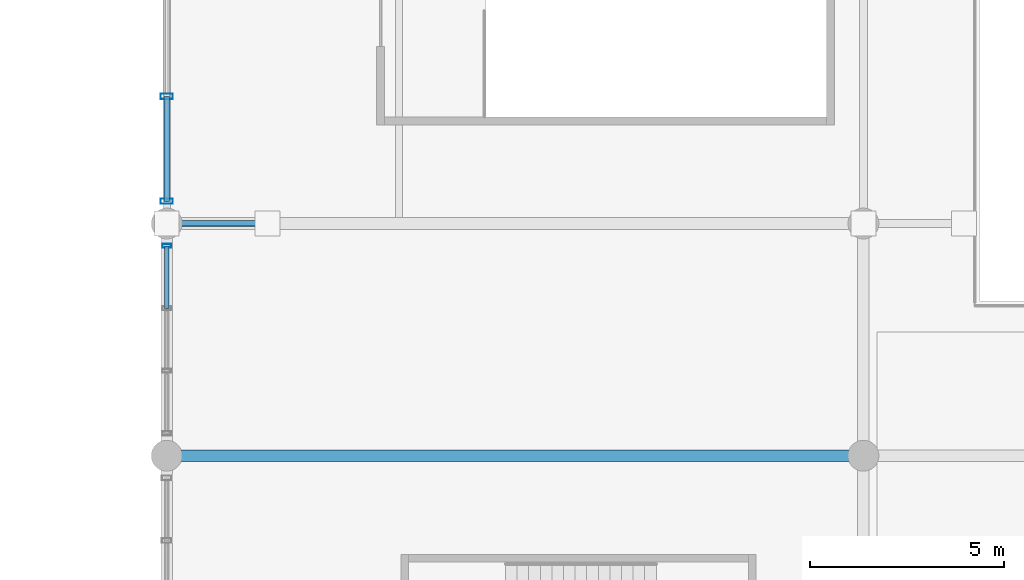
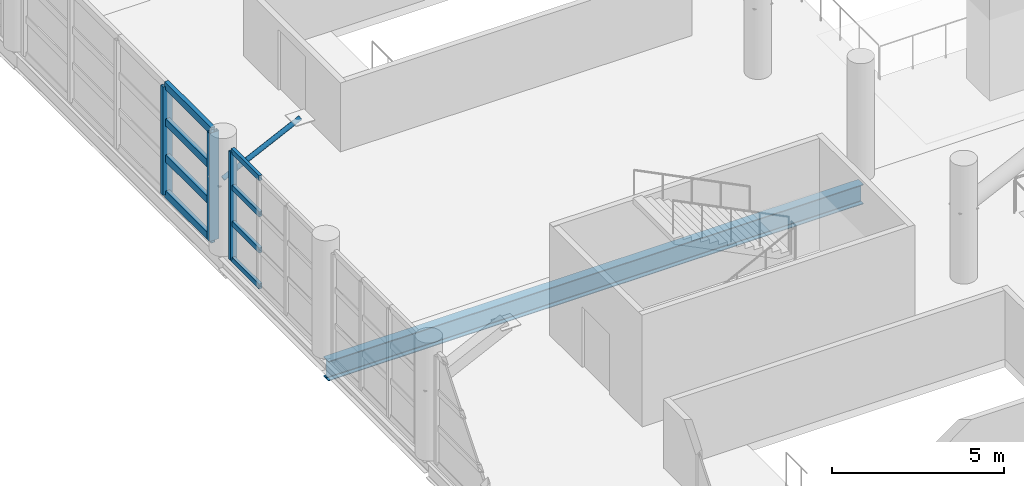
# One storey, part 13 of 136: 12 members, 1 beam, 2 elements without a shape of their own.
"""IFC4 building model written with IfcOpenShell, lengths in metres."""

from ifc_helpers import new_model, si_unit, direction, frame, origin, origin_2d, place, context, subcontext, project, spatial, hollow_rectangle, hollow_circle, i_section, extrude, material, material_profile, profile_set, type_object, element, aggregate, save


model = new_model("IFC4")

# Units and contexts
model_context = context("Model", 3, precision=1e-05, world=origin(), true_north=direction((0.0, 1.0)))
body_context = subcontext(model_context, "Body", "Model", "MODEL_VIEW")
ifc_project = project(units=[si_unit("LENGTHUNIT", "METRE"), si_unit("AREAUNIT", "SQUARE_METRE"), si_unit("VOLUMEUNIT", "CUBIC_METRE"), si_unit("PLANEANGLEUNIT", "RADIAN"), si_unit("MASSUNIT", "GRAM", prefix="KILO")], contexts=[model_context])

# Site, building, storey
site_placement = place(None, origin())
site = spatial("IfcSite", under=ifc_project, at=site_placement, CompositionType="ELEMENT")
building_placement = place(site_placement, origin())
building = spatial("IfcBuilding", under=site, at=building_placement, Name="Chuanluo Vaults Station", CompositionType="ELEMENT")
storey_placement = place(building_placement, frame((0.0, 0.0, 6.60009765625)))
storey = spatial("IfcBuildingStorey", under=building, at=storey_placement, Name="L01", CompositionType="ELEMENT", Elevation=6.60009765625)

# Beam
ifc_material_1 = material(Name="Steel Q355C", Category="steel")
ifc_material_profile_1 = material_profile(ifc_material_1, i_section(OverallWidth=0.300048828125, OverallDepth=0.699951171875, WebThickness=0.012939453125, FlangeThickness=0.02392578125, FilletRadius=0.02197265625, at=origin_2d()))
ifc_profile_set_1 = profile_set([ifc_material_profile_1], Name="Steel Q355C")
beam_type = type_object("IfcBeamType", Name="BM-GRD-700", PredefinedType="USERDEFINED", material=ifc_profile_set_1)
beam_placement = place(storey_placement, frame((18.0, 36.0, -0.630126953125), z_axis=(1.0, 0.0, 0.0), x_axis=(0.0, 1.0, 0.0)))
element("IfcBeam", 1, at=beam_placement, inside=storey, type_object=beam_type, Name="Floor girder BM:GX:L01:0310", ObjectType="GIRDER", PredefinedType="USERDEFINED", context=body_context, shape_type="SweptSolid", body=[
    extrude(i_section(OverallWidth=0.300048828125, OverallDepth=0.699951171875, WebThickness=0.012939453125, FlangeThickness=0.02392578125, FilletRadius=0.02197265625, at=origin_2d()), origin(), (0.0, 0.0, 1.0), 18.0),
])

# Curtain wall, member
ifc_material_2 = material(Name="Anodised aluminium 6063-T6", Category="aluminium")
curtain_wall_type_1 = type_object("IfcCurtainWallType", Name="CW-SYS-04", PredefinedType="NOTDEFINED", material=ifc_material_2)
curtain_wall_1_placement = place(storey_placement, origin())
curtain_wall_1 = element("IfcCurtainWall", 2, at=curtain_wall_1_placement, inside=storey, type_object=curtain_wall_type_1, Name="Concourse west curtain wall 30 part 2", PredefinedType="NOTDEFINED")
ifc_material_3 = material(Name="Anodised aluminium 6063-T6", Category="aluminium")
ifc_material_profile_2 = material_profile(ifc_material_3, hollow_rectangle(XDim=0.10498046875, YDim=0.219970703125, WallThickness=0.006103515625, at=origin_2d()))
ifc_profile_set_2 = profile_set([ifc_material_profile_2], Name="Anodised aluminium 6063-T6")
member_type_1 = type_object("IfcMemberType", Name="CWM-140", PredefinedType="MULLION", material=ifc_profile_set_2)
member_1_placement = place(storey_placement, frame((18.0, 41.425048828125, 0.0), z_axis=(0.0, 0.0, 1.0), x_axis=(0.0, 1.0, 0.0)))
member_1 = element("IfcMember", 3, at=member_1_placement, type_object=member_type_1, Name="Concourse west curtain wall 30 part 2 mullion 4", PredefinedType="MULLION", context=body_context, shape_type="SweptSolid", body=[
    extrude(hollow_rectangle(XDim=0.10498046875, YDim=0.219970703125, WallThickness=0.006103515625, at=origin_2d()), origin(), (0.0, 0.0, 1.0), 3.849853515625),
])

# Curtain wall, members
ifc_material_4 = material(Name="Anodised aluminium 6063-T6", Category="aluminium")
curtain_wall_type_2 = type_object("IfcCurtainWallType", Name="CW-SYS-09", PredefinedType="NOTDEFINED", material=ifc_material_4)
curtain_wall_2_placement = place(storey_placement, origin())
curtain_wall_2 = element("IfcCurtainWall", 4, at=curtain_wall_2_placement, inside=storey, type_object=curtain_wall_type_2, Name="Concourse west curtain wall 42", PredefinedType="NOTDEFINED")
ifc_material_5 = material(Name="Anodised aluminium 6063-T6", Category="aluminium")
ifc_material_profile_3 = material_profile(ifc_material_5, hollow_rectangle(XDim=0.139892578125, YDim=0.320068359375, WallThickness=0.008056640625, at=origin_2d()))
ifc_profile_set_3 = profile_set([ifc_material_profile_3], Name="Anodised aluminium 6063-T6")
member_type_2 = type_object("IfcMemberType", Name="CWM-220", PredefinedType="MULLION", material=ifc_profile_set_3)
member_2_placement = place(storey_placement, frame((18.0, 42.574951171875, 0.0), z_axis=(0.0, 0.0, 1.0), x_axis=(0.0, 1.0, 0.0)))
member_2 = element("IfcMember", 5, at=member_2_placement, type_object=member_type_2, Name="Concourse west curtain wall 42 mullion 1", PredefinedType="MULLION", context=body_context, shape_type="SweptSolid", body=[
    extrude(hollow_rectangle(XDim=0.139892578125, YDim=0.320068359375, WallThickness=0.008056640625, at=origin_2d()), origin(), (0.0, 0.0, 1.0), 3.849853515625),
])
member_3_placement = place(storey_placement, frame((18.0, 45.28759765625, 0.0), z_axis=(0.0, 0.0, 1.0), x_axis=(0.0, 1.0, 0.0)))
member_3 = element("IfcMember", 6, at=member_3_placement, type_object=member_type_2, Name="Concourse west curtain wall 42 mullion 2", PredefinedType="MULLION", context=body_context, shape_type="SweptSolid", body=[
    extrude(hollow_rectangle(XDim=0.139892578125, YDim=0.320068359375, WallThickness=0.008056640625, at=origin_2d()), origin(), (0.0, 0.0, 1.0), 3.849853515625),
])

# Member
ifc_material_6 = material(Name="Anodised aluminium 6063-T6", Category="aluminium")
ifc_material_profile_4 = material_profile(ifc_material_6, hollow_rectangle(XDim=0.10498046875, YDim=0.18505859375, WallThickness=0.0048828125, at=origin_2d()))
ifc_profile_set_4 = profile_set([ifc_material_profile_4], Name="Anodised aluminium 6063-T6")
member_type_3 = type_object("IfcMemberType", Name="CWT-110", PredefinedType="USERDEFINED", material=ifc_profile_set_4)
member_4_placement = place(storey_placement, frame((18.0, 39.808349609375, 0.0), z_axis=(0.0, 1.0, 0.0), x_axis=(-1.0, 0.0, 0.0)))
member_4 = element("IfcMember", 7, at=member_4_placement, type_object=member_type_3, Name="Concourse west curtain wall 30 part 2 transom 3.1", ObjectType="TRANSOM", PredefinedType="USERDEFINED", context=body_context, shape_type="SweptSolid", body=[
    extrude(hollow_rectangle(XDim=0.10498046875, YDim=0.18505859375, WallThickness=0.0048828125, at=origin_2d()), origin(), (0.0, 0.0, 1.0), 1.61669921875),
])

member_5_placement = place(storey_placement, frame((18.0, 39.808349609375, 1.283203125), z_axis=(0.0, 1.0, 0.0), x_axis=(-1.0, 0.0, 0.0)))
member_5 = element("IfcMember", 8, at=member_5_placement, type_object=member_type_3, Name="Concourse west curtain wall 30 part 2 transom 3.2", ObjectType="TRANSOM", PredefinedType="USERDEFINED", context=body_context, shape_type="SweptSolid", body=[
    extrude(hollow_rectangle(XDim=0.10498046875, YDim=0.18505859375, WallThickness=0.0048828125, at=origin_2d()), origin(), (0.0, 0.0, 1.0), 1.61669921875),
])

member_6_placement = place(storey_placement, frame((18.0, 39.808349609375, 2.566650390625), z_axis=(0.0, 1.0, 0.0), x_axis=(-1.0, 0.0, 0.0)))
member_6 = element("IfcMember", 9, at=member_6_placement, type_object=member_type_3, Name="Concourse west curtain wall 30 part 2 transom 3.3", ObjectType="TRANSOM", PredefinedType="USERDEFINED", context=body_context, shape_type="SweptSolid", body=[
    extrude(hollow_rectangle(XDim=0.10498046875, YDim=0.18505859375, WallThickness=0.0048828125, at=origin_2d()), origin(), (0.0, 0.0, 1.0), 1.61669921875),
])

member_7_placement = place(storey_placement, frame((18.0, 39.808349609375, 3.849853515625), z_axis=(0.0, 1.0, 0.0), x_axis=(-1.0, 0.0, 0.0)))
member_7 = element("IfcMember", 10, at=member_7_placement, type_object=member_type_3, Name="Concourse west curtain wall 30 part 2 transom 3.4", ObjectType="TRANSOM", PredefinedType="USERDEFINED", context=body_context, shape_type="SweptSolid", body=[
    extrude(hollow_rectangle(XDim=0.10498046875, YDim=0.18505859375, WallThickness=0.0048828125, at=origin_2d()), origin(), (0.0, 0.0, 1.0), 1.61669921875),
])

aggregate(curtain_wall_1, [member_1, member_4, member_5, member_6, member_7])

ifc_material_7 = material(Name="Anodised aluminium 6063-T6", Category="aluminium")
ifc_material_profile_5 = material_profile(ifc_material_7, hollow_rectangle(XDim=0.139892578125, YDim=0.260009765625, WallThickness=0.007080078125, at=origin_2d()))
ifc_profile_set_5 = profile_set([ifc_material_profile_5], Name="Anodised aluminium 6063-T6")
member_type_4 = type_object("IfcMemberType", Name="CWT-180", PredefinedType="USERDEFINED", material=ifc_profile_set_5)
member_8_placement = place(storey_placement, frame((18.0, 42.574951171875, 0.0), z_axis=(0.0, 1.0, 0.0), x_axis=(-1.0, 0.0, 0.0)))
member_8 = element("IfcMember", 11, at=member_8_placement, type_object=member_type_4, Name="Concourse west curtain wall 42 transom 1.1", ObjectType="TRANSOM", PredefinedType="USERDEFINED", context=body_context, shape_type="SweptSolid", body=[
    extrude(hollow_rectangle(XDim=0.139892578125, YDim=0.260009765625, WallThickness=0.007080078125, at=origin_2d()), origin(), (0.0, 0.0, 1.0), 2.712646484375),
])

member_9_placement = place(storey_placement, frame((18.0, 42.574951171875, 1.283203125), z_axis=(0.0, 1.0, 0.0), x_axis=(-1.0, 0.0, 0.0)))
member_9 = element("IfcMember", 12, at=member_9_placement, type_object=member_type_4, Name="Concourse west curtain wall 42 transom 1.2", ObjectType="TRANSOM", PredefinedType="USERDEFINED", context=body_context, shape_type="SweptSolid", body=[
    extrude(hollow_rectangle(XDim=0.139892578125, YDim=0.260009765625, WallThickness=0.007080078125, at=origin_2d()), origin(), (0.0, 0.0, 1.0), 2.712646484375),
])

member_10_placement = place(storey_placement, frame((18.0, 42.574951171875, 2.566650390625), z_axis=(0.0, 1.0, 0.0), x_axis=(-1.0, 0.0, 0.0)))
member_10 = element("IfcMember", 13, at=member_10_placement, type_object=member_type_4, Name="Concourse west curtain wall 42 transom 1.3", ObjectType="TRANSOM", PredefinedType="USERDEFINED", context=body_context, shape_type="SweptSolid", body=[
    extrude(hollow_rectangle(XDim=0.139892578125, YDim=0.260009765625, WallThickness=0.007080078125, at=origin_2d()), origin(), (0.0, 0.0, 1.0), 2.712646484375),
])

member_11_placement = place(storey_placement, frame((18.0, 42.574951171875, 3.849853515625), z_axis=(0.0, 1.0, 0.0), x_axis=(-1.0, 0.0, 0.0)))
member_11 = element("IfcMember", 14, at=member_11_placement, type_object=member_type_4, Name="Concourse west curtain wall 42 transom 1.4", ObjectType="TRANSOM", PredefinedType="USERDEFINED", context=body_context, shape_type="SweptSolid", body=[
    extrude(hollow_rectangle(XDim=0.139892578125, YDim=0.260009765625, WallThickness=0.007080078125, at=origin_2d()), origin(), (0.0, 0.0, 1.0), 2.712646484375),
])

aggregate(curtain_wall_2, [member_2, member_3, member_8, member_9, member_10, member_11])

ifc_material_8 = material(Name="Steel Q355C", Category="steel")
ifc_material_profile_6 = material_profile(ifc_material_8, hollow_circle(Radius=0.07958984375, WallThickness=0.008056640625, at=origin_2d()))
ifc_profile_set_6 = profile_set([ifc_material_profile_6], Name="Steel Q355C")
member_type_5 = type_object("IfcMemberType", Name="MEM-CHS-159", PredefinedType="STRUT", material=ifc_profile_set_6)
member_12_placement = place(storey_placement, frame((18.0, 42.0, 2.5), z_axis=(0.901258779583, 0.0, 0.4332812161), x_axis=(0.0, 1.0, 0.0)))
element("IfcMember", 15, at=member_12_placement, inside=storey, type_object=member_type_5, Name="Concourse gallery knee strut 09", PredefinedType="STRUT", context=body_context, shape_type="SweptSolid", body=[
    extrude(hollow_circle(Radius=0.07958984375, WallThickness=0.008056640625, at=origin_2d()), origin(), (0.0, 0.0, 1.0), 2.885009765625),
])

save(model, "model.ifc")
